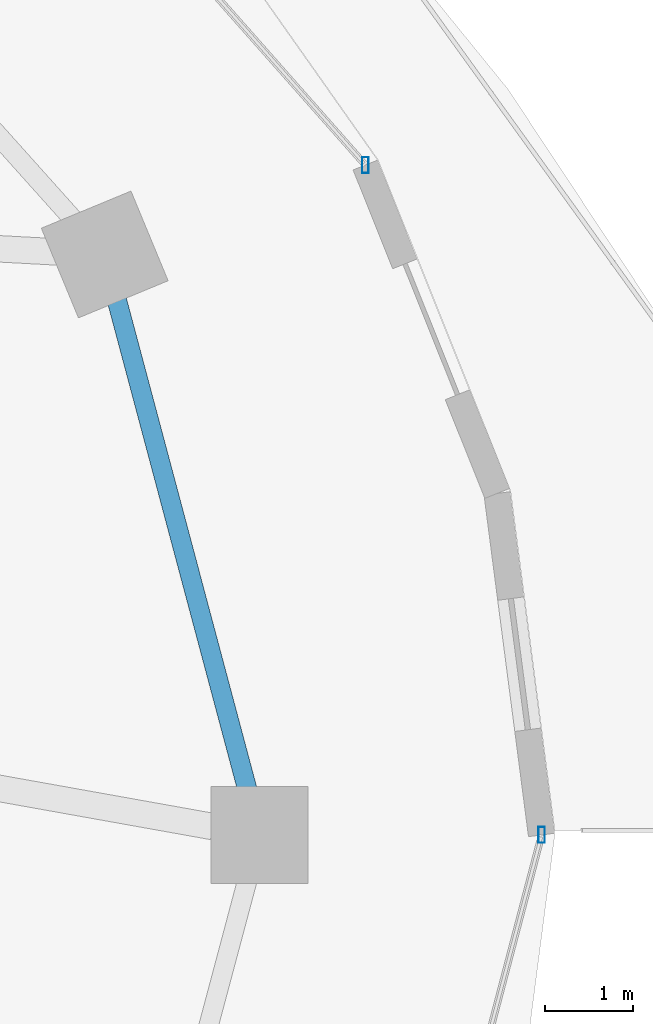
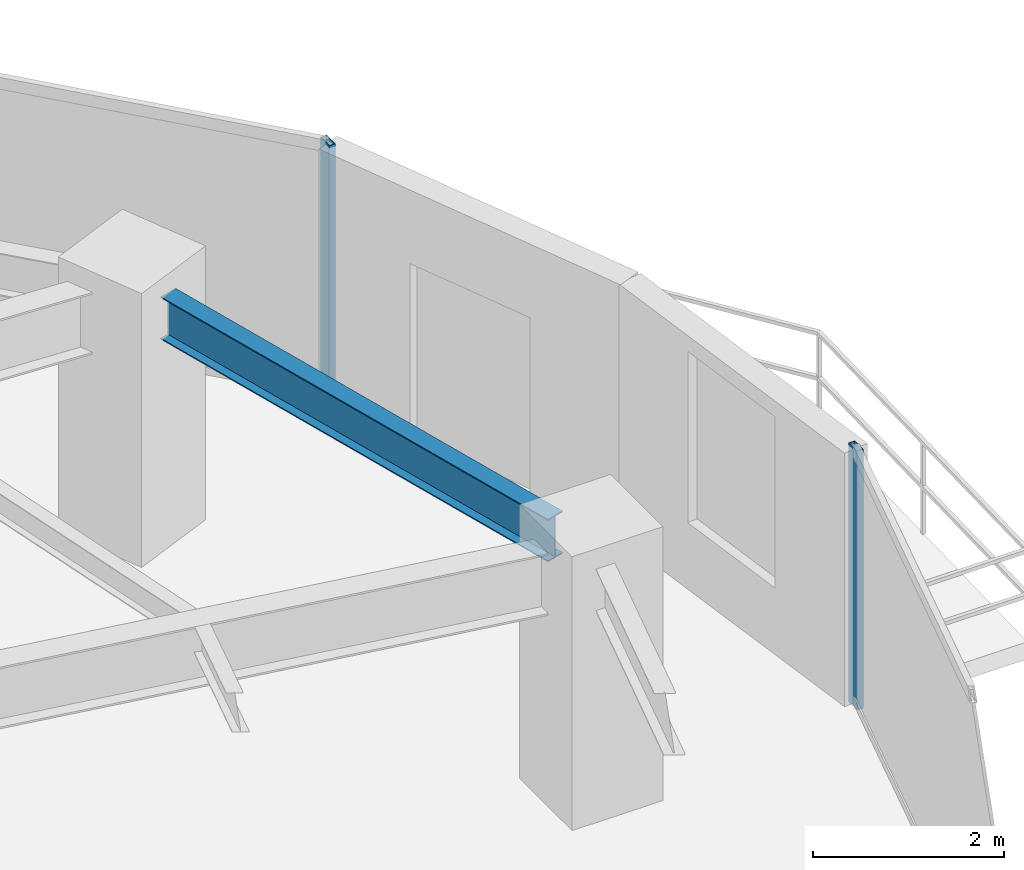
# One storey, part 16 of 29: 2 members, 1 beam, 2 elements without a shape of their own.
"""IFC4 building model written with IfcOpenShell, lengths in metres."""

import ifcopenshell
import ifcopenshell.guid

model = None  # the IFC model being written
_history = None  # IfcOwnerHistory: only IFC2X3 demands one
_inside = {}  # id of a spatial element -> (the spatial element, [elements in it])
_under = {}  # id of a project, library or spatial element -> (it, [spatial elements below it])
_declared = {}  # id of a project -> (the project, [libraries it declares])
_typed = {}  # id of a type object -> (the type object, [elements of that type])
_made_of = {}  # id of a material, layer set ... -> (it, [elements and type objects made of it])


def new_model(schema):
    """Start an empty IFC model of exactly this schema.

    Asked for "IFC4X3", IfcOpenShell would pick the latest addendum, in which some entities
    have other attributes; the version numbers below select the first issue.
    IFC2X3 requires an IfcOwnerHistory on every rooted entity: one is made here for all.
    """
    global model, _history
    if schema == "IFC4X3":
        model = ifcopenshell.file(schema_version=(4, 3, 0, 0))
    else:
        model = ifcopenshell.file(schema=schema)
    _inside.clear()
    _under.clear()
    _declared.clear()
    _typed.clear()
    _made_of.clear()
    _history = None
    if model.schema == "IFC2X3":
        org = make("IfcOrganization", Name="unknown")
        user = make(
            "IfcPersonAndOrganization",
            ThePerson=make("IfcPerson", FamilyName="unknown"),
            TheOrganization=org,
        )
        app = make(
            "IfcApplication",
            ApplicationDeveloper=org,
            Version="unknown",
            ApplicationFullName="unknown",
            ApplicationIdentifier="unknown",
        )
        _history = make(
            "IfcOwnerHistory",
            OwningUser=user,
            OwningApplication=app,
            ChangeAction="ADDED",
            CreationDate=0,
        )
    return model


def make(cls, **values):
    """One entity of the class cls with the attributes given. An attribute that is None is left unset."""
    return model.create_entity(
        cls, **{name: value for name, value in values.items() if value is not None}
    )


def rooted(cls, **values):
    """An entity with a GlobalId (a new one), such as an element, a storey or a relation."""
    return make(cls, GlobalId=ifcopenshell.guid.new(), OwnerHistory=_history, **values)


def si_unit(unit_type, name, prefix=None):
    """IfcSIUnit, for example si_unit("LENGTHUNIT", "METRE", prefix="MILLI")."""
    return make("IfcSIUnit", UnitType=unit_type, Prefix=prefix, Name=name)


def assignment(units):
    """IfcUnitAssignment: the units of a project."""
    return None if units is None else make("IfcUnitAssignment", Units=units)


def point(xyz):
    """IfcCartesianPoint."""
    return None if xyz is None else make("IfcCartesianPoint", Coordinates=xyz)


def direction(xyz):
    """IfcDirection."""
    return None if xyz is None else make("IfcDirection", DirectionRatios=xyz)


def frame(location, z_axis=None, x_axis=None):
    """IfcAxis2Placement3D, a coordinate frame: its origin and axes. An axis left out is left unset."""
    return make(
        "IfcAxis2Placement3D",
        Location=point(location),
        Axis=direction(z_axis),
        RefDirection=direction(x_axis),
    )


def frame_2d(location, x_axis=None):
    """IfcAxis2Placement2D, a coordinate frame in the plane: its origin and x axis."""
    return make(
        "IfcAxis2Placement2D", Location=point(location), RefDirection=direction(x_axis)
    )


def origin():
    """The frame at (0, 0, 0) with its axes left unset."""
    return frame((0.0, 0.0, 0.0))


def origin_2d():
    """The frame at (0, 0) in the plane with its x axis left unset."""
    return frame_2d((0.0, 0.0))


def place(relative_to, where):
    """IfcLocalPlacement: puts the frame where relative to a parent placement (None: the world)."""
    return make(
        "IfcLocalPlacement", PlacementRelTo=relative_to, RelativePlacement=where
    )


def context(
    kind, dimensions, precision=None, world=None, true_north=None, identifier=None
):
    """IfcGeometricRepresentationContext, for example the 3D "Model" context."""
    return make(
        "IfcGeometricRepresentationContext",
        ContextIdentifier=identifier,
        ContextType=kind,
        CoordinateSpaceDimension=dimensions,
        Precision=precision,
        WorldCoordinateSystem=world,
        TrueNorth=true_north,
    )


def subcontext(parent, identifier, kind, view, scale=None):
    """IfcGeometricRepresentationSubContext, for example "Body" below "Model"."""
    return make(
        "IfcGeometricRepresentationSubContext",
        ContextIdentifier=identifier,
        ContextType=kind,
        ParentContext=parent,
        TargetScale=scale,
        TargetView=view,
    )


def project(units=None, contexts=None):
    """IfcProject with its units and contexts."""
    return rooted(
        "IfcProject",
        Name="project",
        RepresentationContexts=contexts,
        UnitsInContext=assignment(units),
    )


def spatial(cls, under=None, at=None, **own):
    """A site, building, storey or space (cls), placed at a placement, below another one or the project."""
    s = rooted(cls, ObjectPlacement=at, **own)
    if under is not None:
        _under.setdefault(under.id(), (under, []))[1].append(s)
    return s


def profile(cls, at=None, kind="AREA", **sizes):
    """A parametric profile (cls). Its sizes go by their IFC names, for example OverallWidth=200.0."""
    return make(cls, ProfileType=kind, Position=at, **sizes)


def hollow_rectangle(**sizes):
    """IfcRectangleHollowProfileDef."""
    return profile("IfcRectangleHollowProfileDef", **sizes)


def i_section(**sizes):
    """IfcIShapeProfileDef."""
    return profile("IfcIShapeProfileDef", **sizes)


def extrude(swept, where, along, depth):
    """IfcExtrudedAreaSolid: the profile swept, set in the frame where, extruded along a direction by depth."""
    return make(
        "IfcExtrudedAreaSolid",
        SweptArea=swept,
        Position=where,
        ExtrudedDirection=direction(along),
        Depth=depth,
    )


def shape(context_of_items, identifier, shape_type, items):
    """IfcShapeRepresentation: the items that make up one representation, for example the "Body"."""
    return make(
        "IfcShapeRepresentation",
        ContextOfItems=context_of_items,
        RepresentationIdentifier=identifier,
        RepresentationType=shape_type,
        Items=items,
    )


def material(Name=None, Category=None):
    """IfcMaterial."""
    return make("IfcMaterial", Name=Name, Category=Category)


def material_profile(
    of_material, cross_section, Name=None, Category=None, Priority=None
):
    """IfcMaterialProfile: a cross section and its material."""
    return make(
        "IfcMaterialProfile",
        Name=Name,
        Material=of_material,
        Profile=cross_section,
        Priority=Priority,
        Category=Category,
    )


def profile_set(profiles, Name=None, composite=None):
    """IfcMaterialProfileSet."""
    return make(
        "IfcMaterialProfileSet",
        Name=Name,
        MaterialProfiles=profiles,
        CompositeProfile=composite,
    )


def made_of(thing, what):
    """Note that an element or type object is made of a material, layer set ...; save() writes the relation."""
    if what is not None:
        _made_of.setdefault(what.id(), (what, []))[1].append(thing)
    return thing


def type_object(cls, material=None, **own):
    """A type object (cls), such as IfcWallType, which elements share."""
    return made_of(rooted(cls, **own), material)


def element(
    cls,
    number,
    at=None,
    inside=None,
    cuts=None,
    type_object=None,
    material=None,
    context=None,
    identifier="Body",
    shape_type=None,
    held_by="IfcProductDefinitionShape",
    body=None,
    shapes=None,
    **own,
):
    """One element of the class cls, such as IfcWall. Its Tag is "e" and its number.

    at: its placement. inside: the storey or other place that contains it. cuts: it is an
    opening in that element (IfcRelVoidsElement). A single representation is given by context,
    identifier, shape_type and body (its items); several are given by shapes. held_by: the class
    of the entity that holds the representations. save() writes the other relations.
    """
    e = rooted(cls, Tag="e%d" % number, ObjectPlacement=at, **own)
    if body is not None:
        shapes = [shape(context, identifier, shape_type, body)]
    if shapes is not None:
        e.Representation = make(held_by, Representations=shapes)
    if inside is not None:
        _inside.setdefault(inside.id(), (inside, []))[1].append(e)
    if cuts is not None:
        rooted(
            "IfcRelVoidsElement", RelatingBuildingElement=cuts, RelatedOpeningElement=e
        )
    if type_object is not None:
        _typed.setdefault(type_object.id(), (type_object, []))[1].append(e)
    return made_of(e, material)


def aggregate(whole, parts):
    """IfcRelAggregates: a whole, such as a stair, and the parts it consists of."""
    return rooted("IfcRelAggregates", RelatingObject=whole, RelatedObjects=parts)


def save(model, path):
    """Write the relations noted so far, then the file.

    IfcRelAggregates (storeys below a building ...), IfcRelContainedInSpatialStructure (elements
    in a storey), IfcRelDefinesByType, IfcRelAssociatesMaterial and IfcRelDeclares: one each for
    every whole, place, type object, material and project.
    """
    for whole, parts in _under.values():
        aggregate(whole, parts)
    for where, things in _inside.values():
        rooted(
            "IfcRelContainedInSpatialStructure",
            RelatedElements=things,
            RelatingStructure=where,
        )
    for kind, things in _typed.values():
        rooted("IfcRelDefinesByType", RelatedObjects=things, RelatingType=kind)
    for what, things in _made_of.values():
        rooted("IfcRelAssociatesMaterial", RelatedObjects=things, RelatingMaterial=what)
    for by, libraries in _declared.values():
        rooted("IfcRelDeclares", RelatingContext=by, RelatedDefinitions=libraries)
    model.write(path)


model = new_model("IFC4")

# Units and contexts
model_context = context("Model", 3, precision=1e-05, world=origin(), true_north=direction((0.0, 1.0)))
body_context = subcontext(model_context, "Body", "Model", "MODEL_VIEW")
ifc_project = project(units=[si_unit("LENGTHUNIT", "METRE"), si_unit("AREAUNIT", "SQUARE_METRE"), si_unit("VOLUMEUNIT", "CUBIC_METRE"), si_unit("PLANEANGLEUNIT", "RADIAN"), si_unit("MASSUNIT", "GRAM", prefix="KILO")], contexts=[model_context])

# Site, building, storey
site_placement = place(None, origin())
site = spatial("IfcSite", under=ifc_project, at=site_placement, CompositionType="ELEMENT")
building_placement = place(site_placement, origin())
building = spatial("IfcBuilding", under=site, at=building_placement, Name="Vorneva Point Tower", CompositionType="ELEMENT")
storey_placement = place(building_placement, frame((0.0, 0.0, 85.800048828125)))
storey = spatial("IfcBuildingStorey", under=building, at=storey_placement, Name="L22", CompositionType="ELEMENT", Elevation=85.800048828125)

# Beam
ifc_material_1 = material(Name="Steel S355", Category="steel")
ifc_material_profile_1 = material_profile(ifc_material_1, i_section(OverallWidth=0.219970703125, OverallDepth=0.54296875, WebThickness=0.009521484375, FlangeThickness=0.013427734375, at=origin_2d()), Name="55B1")
ifc_profile_set_1 = profile_set([ifc_material_profile_1], Name="Steel S355")
beam_type = type_object("IfcBeamType", Name="BM-SPN-55B1", PredefinedType="SPANDREL", material=ifc_profile_set_1)
beam_placement = place(storey_placement, frame((60.912109375, 26.516845703125, 2.968505859375), z_axis=(-0.257572674071, 0.966258928845, 0.0), x_axis=(-0.966258928845, -0.257572674071, 0.0)))
element("IfcBeam", 1, at=beam_placement, inside=storey, type_object=beam_type, Name="L22 Perimeter Spandrel Ring Beam 01", PredefinedType="SPANDREL", context=body_context, shape_type="SweptSolid", body=[
    extrude(i_section(OverallWidth=0.219970703125, OverallDepth=0.54296875, WebThickness=0.009521484375, FlangeThickness=0.013427734375, at=origin_2d()), origin(), (0.0, 0.0, 1.0), 5.7421875),
])

# Curtain wall, member
ifc_material_2 = material(Name="Pale anodised aluminium", Category="aluminium")
curtain_wall_type = type_object("IfcCurtainWallType", Name="CW-HTL-SYS", PredefinedType="NOTDEFINED", material=ifc_material_2)
curtain_wall_1_placement = place(storey_placement, origin())
curtain_wall_1 = element("IfcCurtainWall", 2, at=curtain_wall_1_placement, inside=storey, type_object=curtain_wall_type, Name="L22 Unitised Curtain Wall CW-L22-R01", PredefinedType="NOTDEFINED")
ifc_material_profile_2 = material_profile(ifc_material_2, hollow_rectangle(XDim=0.074951171875, YDim=0.179931640625, WallThickness=0.00390625, at=origin_2d()), Name="AL-MUL 180x75x4")
ifc_profile_set_2 = profile_set([ifc_material_profile_2], Name="Pale anodised aluminium")
member_type = type_object("IfcMemberType", Name="CW-MUL-180", PredefinedType="MULLION", material=ifc_profile_set_2)
member_1_placement = place(storey_placement, frame((62.251708984375, 33.59619140625, -0.0400390625), z_axis=(0.0, 0.0, 1.0), x_axis=(1.0, 0.0, 0.0)))
member_1 = element("IfcMember", 3, at=member_1_placement, type_object=member_type, Name="CW-L22-R01 Mullion 01", PredefinedType="MULLION", context=body_context, shape_type="SweptSolid", body=[
    extrude(hollow_rectangle(XDim=0.074951171875, YDim=0.179931640625, WallThickness=0.00390625, at=origin_2d()), origin(), (0.0, 0.0, 1.0), 3.31005859375),
])
aggregate(curtain_wall_1, [member_1])

curtain_wall_2_placement = place(storey_placement, origin())
curtain_wall_2 = element("IfcCurtainWall", 4, at=curtain_wall_2_placement, inside=storey, type_object=curtain_wall_type, Name="L22 Unitised Curtain Wall CW-L22-R04", PredefinedType="NOTDEFINED")
member_2_placement = place(storey_placement, frame((64.25, 26.0, -0.0400390625), z_axis=(0.0, 0.0, 1.0), x_axis=(1.0, 0.0, 0.0)))
member_2 = element("IfcMember", 5, at=member_2_placement, type_object=member_type, Name="CW-L22-R04 Mullion 03", PredefinedType="MULLION", context=body_context, shape_type="SweptSolid", body=[
    extrude(hollow_rectangle(XDim=0.074951171875, YDim=0.179931640625, WallThickness=0.00390625, at=origin_2d()), origin(), (0.0, 0.0, 1.0), 3.31005859375),
])
aggregate(curtain_wall_2, [member_2])

save(model, "model.ifc")
